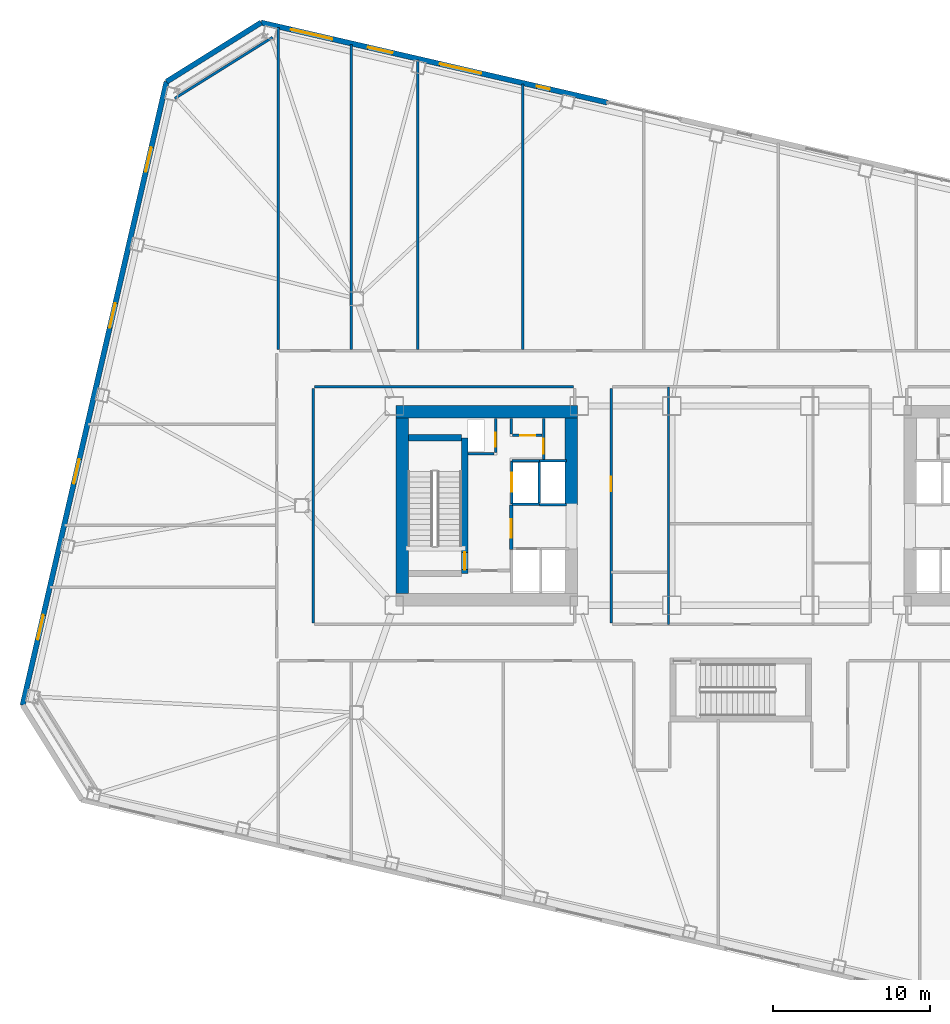
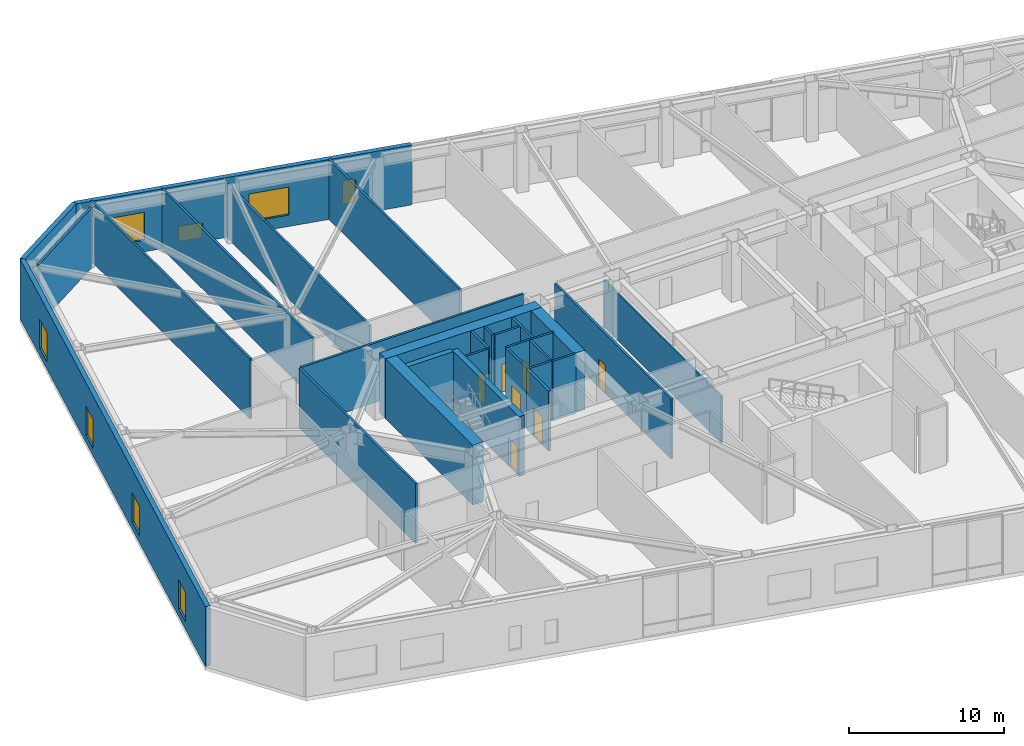
# One storey, part 12 of 21: 29 walls, 8 windows, 7 doors, 15 openings.
"""IFC4 building model written with IfcOpenShell, lengths in metres."""

from ifc_helpers import new_model, si_unit, direction, frame, frame_2d, origin, place, context, subcontext, project, spatial, rectangle, extrude, material, layer, layer_set, type_object, element, fill, save


model = new_model("IFC4")

# Units and contexts
model_context = context("Model", 3, precision=1e-05, world=origin(), true_north=direction((0.0, 1.0)))
body_context = subcontext(model_context, "Body", "Model", "MODEL_VIEW")
ifc_project = project(units=[si_unit("LENGTHUNIT", "METRE"), si_unit("AREAUNIT", "SQUARE_METRE"), si_unit("VOLUMEUNIT", "CUBIC_METRE"), si_unit("PLANEANGLEUNIT", "RADIAN"), si_unit("MASSUNIT", "GRAM", prefix="KILO")], contexts=[model_context])

# Site, building, storey
site_placement = place(None, origin())
site = spatial("IfcSite", under=ifc_project, at=site_placement, CompositionType="ELEMENT")
building_placement = place(site_placement, origin())
building = spatial("IfcBuilding", under=site, at=building_placement, Name="Tavrogorsk Clinical Tower", CompositionType="ELEMENT")
storey_placement = place(building_placement, frame((0.0, 0.0, 8.39990234375)))
storey = spatial("IfcBuildingStorey", under=building, at=storey_placement, Name="L01", CompositionType="ELEMENT", Elevation=8.39990234375)

# Wall, opening, door
ifc_material_1 = material(Name="Concrete B60", Category="concrete")
ifc_layer_1 = layer(ifc_material_1, 0.199951171875)
ifc_layer_set_1 = layer_set([ifc_layer_1], Name="Concrete B60")
wall_type_1 = type_object("IfcWallType", Name="CoreFireWall_200", PredefinedType="SOLIDWALL", material=ifc_layer_set_1)
wall_1_placement = place(storey_placement, frame((-14.639892578125, -2.780029296875, 0.0), z_axis=(0.0, 0.0, 1.0), x_axis=(0.0, 1.0, 0.0)))
wall_1 = element("IfcWall", 1, at=wall_1_placement, inside=storey, type_object=wall_type_1, Name="L01 Core West Firefighting Lobby Fire Wall", PredefinedType="SOLIDWALL", context=body_context, shape_type="SweptSolid", body=[
    extrude(rectangle(XDim=2.820068359375, YDim=0.199951171875, at=frame_2d((1.41015625, 0.0))), origin(), (0.0, 0.0, 1.0), 4.7001953125),
])
opening_1_placement = place(wall_1_placement, frame((0.72998046875, 0.0, 0.0)))
opening_1 = element("IfcOpeningElement", 2, at=opening_1_placement, cuts=wall_1, Name="Opening FD-01", PredefinedType="OPENING", context=body_context, shape_type="SweptSolid", body=[
    extrude(rectangle(XDim=1.199951171875, YDim=2.199951171875, at=frame_2d((0.60009765625, 1.10009765625))), frame((0.0, 0.10986328125, 0.0), z_axis=(0.0, -1.0, 0.0), x_axis=(1.0, 0.0, 0.0)), (0.0, 0.0, 1.0), 0.219970703125),
])
ifc_material_2 = material(Name="Galvanised steel fire-rated door assembly", Category="steel")
door_type_1 = type_object("IfcDoorType", Name="FireDoor_FD01_1200", OperationType="NOTDEFINED", PredefinedType="DOOR", material=ifc_material_2)
door_1_placement = place(opening_1_placement, origin())
door_1 = element("IfcDoor", 3, at=door_1_placement, inside=storey, type_object=door_type_1, Name="L01 Core West Firefighting Lobby Entry Door", OperationType="SINGLE_SWING_LEFT", OverallHeight=2.199951171875, OverallWidth=1.199951171875, PredefinedType="DOOR", context=body_context, shape_type="SweptSolid", body=[
    extrude(rectangle(XDim=1.199951171875, YDim=2.199951171875, at=frame_2d((0.60009765625, 1.10009765625))), frame((0.0, 0.02490234375, 0.0), z_axis=(0.0, -1.0, 0.0), x_axis=(1.0, 0.0, 0.0)), (0.0, 0.0, 1.0), 0.050048828125),
])
fill(opening_1, door_1)

# Wall
ifc_material_3 = material(Name="Lightweight concrete blockwork B15", Category="masonry")
ifc_layer_2 = layer(ifc_material_3, 0.139892578125)
ifc_layer_set_2 = layer_set([ifc_layer_2], Name="Lightweight concrete blockwork B15")
wall_type_2 = type_object("IfcWallType", Name="PartitionWall_140", PredefinedType="PARTITIONING", material=ifc_layer_set_2)
wall_2_placement = place(storey_placement, frame((-4.60009765625, -7.56494140625, 0.0), z_axis=(0.0, 0.0, 1.0), x_axis=(0.0, 1.0, 0.0)))
element("IfcWall", 4, at=wall_2_placement, inside=storey, type_object=wall_type_2, Name="L01 Central Spine Partition 1", PredefinedType="PARTITIONING", context=body_context, shape_type="SweptSolid", body=[
    extrude(rectangle(XDim=15.1298828125, YDim=0.139892578125, at=frame_2d((7.56494140625, 0.0))), origin(), (0.0, 0.0, 1.0), 3.695068359375),
])

# Wall, opening, door
ifc_material_4 = material(Name="Lightweight concrete blockwork B15", Category="masonry")
ifc_layer_3 = layer(ifc_material_4, 0.159912109375)
ifc_layer_set_3 = layer_set([ifc_layer_3], Name="Lightweight concrete blockwork B15")
wall_type_3 = type_object("IfcWallType", Name="PartitionWall_160", PredefinedType="PARTITIONING", material=ifc_layer_set_3)
wall_3_placement = place(storey_placement, frame((-12.580078125, 2.9599609375, 0.0), z_axis=(0.0, 0.0, 1.0), x_axis=(0.0, 1.0, 0.0)))
wall_3 = element("IfcWall", 5, at=wall_3_placement, inside=storey, type_object=wall_type_3, Name="L01 Core West Linen Closet Wall", PredefinedType="PARTITIONING", context=body_context, shape_type="SweptSolid", body=[
    extrude(rectangle(XDim=2.60009765625, YDim=0.159912109375, at=frame_2d((1.300048828125, 0.0))), origin(), (0.0, 0.0, 1.0), 4.7001953125),
])
opening_2_placement = place(wall_3_placement, frame((0.35009765625, 0.0, 0.0)))
opening_2 = element("IfcOpeningElement", 6, at=opening_2_placement, cuts=wall_3, Name="Opening ID-02", PredefinedType="OPENING", context=body_context, shape_type="SweptSolid", body=[
    extrude(rectangle(XDim=0.949951171875, YDim=2.199951171875, at=frame_2d((0.47509765625, 1.10009765625))), frame((0.0, 0.08984375, 0.0), z_axis=(0.0, -1.0, 0.0), x_axis=(1.0, 0.0, 0.0)), (0.0, 0.0, 1.0), 0.179931640625),
])
ifc_material_5 = material(Name="Laminated timber leaf on aluminium frame", Category="wood")
door_type_2 = type_object("IfcDoorType", Name="InteriorDoor_ID02_950", OperationType="NOTDEFINED", PredefinedType="DOOR", material=ifc_material_5)
door_2_placement = place(opening_2_placement, origin())
door_2 = element("IfcDoor", 7, at=door_2_placement, inside=storey, type_object=door_type_2, Name="L01 Core West Linen Closet Door", OperationType="SINGLE_SWING_LEFT", OverallHeight=2.199951171875, OverallWidth=0.949951171875, PredefinedType="DOOR", context=body_context, shape_type="SweptSolid", body=[
    extrude(rectangle(XDim=0.949951171875, YDim=2.199951171875, at=frame_2d((0.47509765625, 1.10009765625))), frame((0.0, 0.02490234375, 0.0), z_axis=(0.0, -1.0, 0.0), x_axis=(1.0, 0.0, 0.0)), (0.0, 0.0, 1.0), 0.050048828125),
])
fill(opening_2, door_2)

wall_4_placement = place(storey_placement, frame((-14.554931640625, 4.47998046875, 0.0), z_axis=(0.0, 0.0, 1.0), x_axis=(1.0, 0.0, 0.0)))
wall_4 = element("IfcWall", 8, at=wall_4_placement, inside=storey, type_object=wall_type_3, Name="L01 Core West Housekeeping South Wall", PredefinedType="PARTITIONING", context=body_context, shape_type="SweptSolid", body=[
    extrude(rectangle(XDim=1.889892578125, YDim=0.159912109375, at=frame_2d((0.94482421875, 0.0))), origin(), (0.0, 0.0, 1.0), 4.7001953125),
])
opening_3_placement = place(wall_4_placement, frame((0.5, 0.0, 0.0)))
opening_3 = element("IfcOpeningElement", 9, at=opening_3_placement, cuts=wall_4, Name="Opening ID-02", PredefinedType="OPENING", context=body_context, shape_type="SweptSolid", body=[
    extrude(rectangle(XDim=0.949951171875, YDim=2.199951171875, at=frame_2d((0.47509765625, 1.10009765625))), frame((0.0, 0.08984375, 0.0), z_axis=(0.0, -1.0, 0.0), x_axis=(1.0, 0.0, 0.0)), (0.0, 0.0, 1.0), 0.179931640625),
])
door_3_placement = place(opening_3_placement, origin())
door_3 = element("IfcDoor", 10, at=door_3_placement, inside=storey, type_object=door_type_2, Name="L01 Core West Housekeeping Closet Door", OperationType="SINGLE_SWING_RIGHT", OverallHeight=2.199951171875, OverallWidth=0.949951171875, PredefinedType="DOOR", context=body_context, shape_type="SweptSolid", body=[
    extrude(rectangle(XDim=0.949951171875, YDim=2.199951171875, at=frame_2d((0.47509765625, 1.10009765625))), frame((0.0, 0.02490234375, 0.0), z_axis=(0.0, -1.0, 0.0), x_axis=(1.0, 0.0, 0.0)), (0.0, 0.0, 1.0), 0.050048828125),
])
fill(opening_3, door_3)

# Walls
wall_5_placement = place(storey_placement, frame((-14.639892578125, 4.56494140625, 0.0), z_axis=(0.0, 0.0, 1.0), x_axis=(0.0, 1.0, 0.0)))
element("IfcWall", 11, at=wall_5_placement, inside=storey, type_object=wall_type_3, Name="L01 Core West Housekeeping East Wall", PredefinedType="PARTITIONING", context=body_context, shape_type="SweptSolid", body=[
    extrude(rectangle(XDim=0.9951171875, YDim=0.159912109375, at=frame_2d((0.49755859375, 0.0))), origin(), (0.0, 0.0, 1.0), 4.7001953125),
])
wall_6_placement = place(storey_placement, frame((-29.859619140625, 29.8681640625, 0.0), z_axis=(0.0, 0.0, 1.0), x_axis=(-0.848043064089, -0.529927317139, 0.0)))
element("IfcWall", 12, at=wall_6_placement, inside=storey, type_object=wall_type_3, Name="L01 Corner Exoskeleton Brace Furring Wall 3", PredefinedType="PARTITIONING", context=body_context, shape_type="SweptSolid", body=[
    extrude(rectangle(XDim=7.353759765625, YDim=0.159912109375, at=frame_2d((3.6767578125, 0.0))), origin(), (0.0, 0.0, 1.0), 4.7001953125),
])

# Wall, opening, door
wall_7_placement = place(storey_placement, frame((-8.27001953125, 7.485107421875, 0.0), z_axis=(0.0, 0.0, 1.0), x_axis=(0.0, -1.0, 0.0)))
wall_7 = element("IfcWall", 13, at=wall_7_placement, inside=storey, type_object=wall_type_3, Name="L01 Corridor Partition 18", PredefinedType="PARTITIONING", context=body_context, shape_type="SweptSolid", body=[
    extrude(rectangle(XDim=14.97021484375, YDim=0.159912109375, at=frame_2d((7.485107421875, 0.0))), origin(), (0.0, 0.0, 1.0), 4.7001953125),
])
opening_4_placement = place(wall_7_placement, frame((5.629150390625, 0.0, 0.0)))
opening_4 = element("IfcOpeningElement", 14, at=opening_4_placement, cuts=wall_7, Name="Opening ID-02", PredefinedType="OPENING", context=body_context, shape_type="SweptSolid", body=[
    extrude(rectangle(XDim=0.949951171875, YDim=2.199951171875, at=frame_2d((0.47509765625, 1.10009765625))), frame((0.0, 0.08984375, 0.0), z_axis=(0.0, -1.0, 0.0), x_axis=(1.0, 0.0, 0.0)), (0.0, 0.0, 1.0), 0.179931640625),
])
door_4_placement = place(opening_4_placement, origin())
door_4 = element("IfcDoor", 15, at=door_4_placement, inside=storey, type_object=door_type_2, Name="L01 Ward Nourishment Pantry Door", OperationType="SINGLE_SWING_LEFT", OverallHeight=2.199951171875, OverallWidth=0.949951171875, PredefinedType="DOOR", context=body_context, shape_type="SweptSolid", body=[
    extrude(rectangle(XDim=0.949951171875, YDim=2.199951171875, at=frame_2d((0.47509765625, 1.10009765625))), frame((0.0, 0.02490234375, 0.0), z_axis=(0.0, -1.0, 0.0), x_axis=(1.0, 0.0, 0.0)), (0.0, 0.0, 1.0), 0.050048828125),
])
fill(opening_4, door_4)

# Walls
wall_8_placement = place(storey_placement, frame((-10.6650390625, 7.570068359375, 0.0), z_axis=(0.0, 0.0, 1.0), x_axis=(-1.0, 0.0, 0.0)))
element("IfcWall", 16, at=wall_8_placement, inside=storey, type_object=wall_type_3, Name="L01 Corridor Partition 23", PredefinedType="PARTITIONING", context=body_context, shape_type="SweptSolid", body=[
    extrude(rectangle(XDim=16.52001953125, YDim=0.159912109375, at=frame_2d((8.260009765625, 0.0))), origin(), (0.0, 0.0, 1.0), 4.7001953125),
])
wall_9_placement = place(storey_placement, frame((-27.27001953125, 7.485107421875, 0.0), z_axis=(0.0, 0.0, 1.0), x_axis=(0.0, -1.0, 0.0)))
element("IfcWall", 17, at=wall_9_placement, inside=storey, type_object=wall_type_3, Name="L01 Corridor Partition 24", PredefinedType="PARTITIONING", context=body_context, shape_type="SweptSolid", body=[
    extrude(rectangle(XDim=14.97021484375, YDim=0.159912109375, at=frame_2d((7.485107421875, 0.0))), origin(), (0.0, 0.0, 1.0), 4.7001953125),
])
wall_10_placement = place(storey_placement, frame((-29.5, 9.965087890625, 0.0), z_axis=(0.0, 0.0, 1.0), x_axis=(0.0, 1.0, 0.0)))
element("IfcWall", 18, at=wall_10_placement, inside=storey, type_object=wall_type_3, Name="L01 NW Wing Closure Partition", PredefinedType="PARTITIONING", context=body_context, shape_type="SweptSolid", body=[
    extrude(rectangle(XDim=20.5185546875, YDim=0.159912109375, at=frame_2d((10.25927734375, 0.0))), origin(), (0.0, 0.0, 1.0), 4.7001953125),
])
wall_11_placement = place(storey_placement, frame((-24.85009765625, 9.965087890625, 0.0), z_axis=(0.0, 0.0, 1.0), x_axis=(0.0, 1.0, 0.0)))
element("IfcWall", 19, at=wall_11_placement, inside=storey, type_object=wall_type_3, Name="L01 North Room Partition 1", PredefinedType="PARTITIONING", context=body_context, shape_type="SweptSolid", body=[
    extrude(rectangle(XDim=19.445068359375, YDim=0.159912109375, at=frame_2d((9.72265625, 0.0))), origin(), (0.0, 0.0, 1.0), 4.7001953125),
])
wall_12_placement = place(storey_placement, frame((-20.60009765625, 9.965087890625, 0.0), z_axis=(0.0, 0.0, 1.0), x_axis=(0.0, 1.0, 0.0)))
element("IfcWall", 20, at=wall_12_placement, inside=storey, type_object=wall_type_3, Name="L01 North Room Partition 2", PredefinedType="PARTITIONING", context=body_context, shape_type="SweptSolid", body=[
    extrude(rectangle(XDim=18.4638671875, YDim=0.159912109375, at=frame_2d((9.23193359375, 0.0))), origin(), (0.0, 0.0, 1.0), 4.195068359375),
])
wall_13_placement = place(storey_placement, frame((-13.89990234375, 9.965087890625, 0.0), z_axis=(0.0, 0.0, 1.0), x_axis=(0.0, 1.0, 0.0)))
element("IfcWall", 21, at=wall_13_placement, inside=storey, type_object=wall_type_3, Name="L01 North Room Partition 3", PredefinedType="PARTITIONING", context=body_context, shape_type="SweptSolid", body=[
    extrude(rectangle(XDim=16.9169921875, YDim=0.159912109375, at=frame_2d((8.45849609375, 0.0))), origin(), (0.0, 0.0, 1.0), 4.7001953125),
])

# Wall, openings, windows
ifc_material_6 = material(Name="Precast concrete B45 with limestone cladding", Category="masonry")
ifc_layer_4 = layer(ifc_material_6, 0.340087890625)
ifc_layer_set_4 = layer_set([ifc_layer_4], Name="Precast concrete B45 with limestone cladding")
wall_type_4 = type_object("IfcWallType", Name="PrecastLimestoneWall_340", PredefinedType="STANDARD", material=ifc_layer_set_4)
wall_14_placement = place(storey_placement, frame((-8.5166015625, 25.711181640625, 0.0), z_axis=(0.0, 0.0, 1.0), x_axis=(-0.974372845456, 0.224939009598, 0.0)))
wall_14 = element("IfcWall", 22, at=wall_14_placement, inside=storey, type_object=wall_type_4, Name="L01 N Limestone Facade Wall 3", PredefinedType="STANDARD", context=body_context, shape_type="SweptSolid", body=[
    extrude(rectangle(XDim=22.651611328125, YDim=0.340087890625, at=frame_2d((11.32568359375, 0.0))), origin(), (0.0, 0.0, 1.0), 4.7001953125),
])
opening_5_placement = place(wall_14_placement, frame((17.9892578125, 0.0, 0.89990234375)))
opening_5 = element("IfcOpeningElement", 23, at=opening_5_placement, cuts=wall_14, Name="Opening WN-02", PredefinedType="OPENING", context=body_context, shape_type="SweptSolid", body=[
    extrude(rectangle(XDim=2.699951171875, YDim=2.199951171875, at=frame_2d((1.35009765625, 1.10009765625))), frame((0.0, 0.179931640625, 0.0), z_axis=(0.0, -1.0, 0.0), x_axis=(1.0, 0.0, 0.0)), (0.0, 0.0, 1.0), 0.360107421875),
])
opening_6_placement = place(wall_14_placement, frame((14.054931640625, 0.0, 0.219970703125)))
opening_6 = element("IfcOpeningElement", 24, at=opening_6_placement, cuts=wall_14, Name="Opening WN-09", PredefinedType="OPENING", context=body_context, shape_type="SweptSolid", body=[
    extrude(rectangle(XDim=1.60009765625, YDim=1.199951171875, at=frame_2d((0.800048828125, 0.60009765625))), frame((0.0, 0.179931640625, 0.0), z_axis=(0.0, -1.0, 0.0), x_axis=(1.0, 0.0, 0.0)), (0.0, 0.0, 1.0), 0.360107421875),
])
opening_7_placement = place(wall_14_placement, frame((8.24072265625, 0.0, 0.89990234375)))
opening_7 = element("IfcOpeningElement", 25, at=opening_7_placement, cuts=wall_14, Name="Opening WN-02", PredefinedType="OPENING", context=body_context, shape_type="SweptSolid", body=[
    extrude(rectangle(XDim=2.699951171875, YDim=2.199951171875, at=frame_2d((1.35009765625, 1.10009765625))), frame((0.0, 0.179931640625, 0.0), z_axis=(0.0, -1.0, 0.0), x_axis=(1.0, 0.0, 0.0)), (0.0, 0.0, 1.0), 0.360107421875),
])
opening_8_placement = place(wall_14_placement, frame((3.75634765625, 0.0, 0.89990234375)))
opening_8 = element("IfcOpeningElement", 26, at=opening_8_placement, cuts=wall_14, Name="Opening WN-06", PredefinedType="OPENING", context=body_context, shape_type="SweptSolid", body=[
    extrude(rectangle(XDim=0.85009765625, YDim=1.85009765625, at=frame_2d((0.425048828125, 0.925048828125))), frame((0.0, 0.179931640625, 0.0), z_axis=(0.0, -1.0, 0.0), x_axis=(1.0, 0.0, 0.0)), (0.0, 0.0, 1.0), 0.360107421875),
])
ifc_material_7 = material(Name="Thermally broken aluminium frame and triple IGU", Category="aluminium")
window_type_1 = type_object("IfcWindowType", Name="LowHeadTransWin_1600x1200", PartitioningType="DOUBLE_PANEL_VERTICAL", PredefinedType="WINDOW", material=ifc_material_7)
window_1_placement = place(opening_6_placement, origin())
window_1 = element("IfcWindow", 27, at=window_1_placement, inside=storey, type_object=window_type_1, Name="L01 N Chicago Window 02", OverallHeight=1.199951171875, OverallWidth=1.60009765625, PartitioningType="SINGLE_PANEL", PredefinedType="WINDOW", context=body_context, shape_type="SweptSolid", body=[
    extrude(rectangle(XDim=1.60009765625, YDim=1.199951171875, at=frame_2d((0.800048828125, 0.60009765625))), frame((0.0, 0.030029296875, 0.0), z_axis=(0.0, -1.0, 0.0), x_axis=(1.0, 0.0, 0.0)), (0.0, 0.0, 1.0), 0.06005859375),
])
fill(opening_6, window_1)
ifc_material_8 = material(Name="Thermally broken aluminium frame and triple IGU", Category="aluminium")
window_type_2 = type_object("IfcWindowType", Name="MullionSubWin_850x1850", PartitioningType="SINGLE_PANEL", PredefinedType="WINDOW", material=ifc_material_8)
window_2_placement = place(opening_8_placement, origin())
window_2 = element("IfcWindow", 28, at=window_2_placement, inside=storey, type_object=window_type_2, Name="L01 N Mullion Split Window 04A", OverallHeight=1.85009765625, OverallWidth=0.85009765625, PartitioningType="SINGLE_PANEL", PredefinedType="WINDOW", context=body_context, shape_type="SweptSolid", body=[
    extrude(rectangle(XDim=0.85009765625, YDim=1.85009765625, at=frame_2d((0.425048828125, 0.925048828125))), frame((0.0, 0.030029296875, 0.0), z_axis=(0.0, -1.0, 0.0), x_axis=(1.0, 0.0, 0.0)), (0.0, 0.0, 1.0), 0.06005859375),
])
fill(opening_8, window_2)
ifc_material_9 = material(Name="Thermally broken aluminium frame and triple IGU", Category="aluminium")
window_type_3 = type_object("IfcWindowType", Name="WardChicagoWin_2700x2200", PartitioningType="TRIPLE_PANEL_HORIZONTAL", PredefinedType="WINDOW", material=ifc_material_9)
window_3_placement = place(opening_5_placement, origin())
window_3 = element("IfcWindow", 29, at=window_3_placement, inside=storey, type_object=window_type_3, Name="L01 N Chicago Window 01", OverallHeight=2.199951171875, OverallWidth=2.699951171875, PartitioningType="SINGLE_PANEL", PredefinedType="WINDOW", context=body_context, shape_type="SweptSolid", body=[
    extrude(rectangle(XDim=2.699951171875, YDim=2.199951171875, at=frame_2d((1.35009765625, 1.10009765625))), frame((0.0, 0.030029296875, 0.0), z_axis=(0.0, -1.0, 0.0), x_axis=(1.0, 0.0, 0.0)), (0.0, 0.0, 1.0), 0.06005859375),
])
fill(opening_5, window_3)
window_4_placement = place(opening_7_placement, origin())
window_4 = element("IfcWindow", 30, at=window_4_placement, inside=storey, type_object=window_type_3, Name="L01 N Chicago Window 03", OverallHeight=2.199951171875, OverallWidth=2.699951171875, PartitioningType="SINGLE_PANEL", PredefinedType="WINDOW", context=body_context, shape_type="SweptSolid", body=[
    extrude(rectangle(XDim=2.699951171875, YDim=2.199951171875, at=frame_2d((1.35009765625, 1.10009765625))), frame((0.0, 0.030029296875, 0.0), z_axis=(0.0, -1.0, 0.0), x_axis=(1.0, 0.0, 0.0)), (0.0, 0.0, 1.0), 0.06005859375),
])
fill(opening_7, window_4)

wall_15_placement = place(storey_placement, frame((-36.6201171875, 27.036865234375, 0.0), z_axis=(0.0, 0.0, 1.0), x_axis=(-0.224951280646, -0.974370012539, 0.0)))
wall_15 = element("IfcWall", 31, at=wall_15_placement, inside=storey, type_object=wall_type_4, Name="L01 W Pleated Limestone Wing Wall", PredefinedType="STANDARD", context=body_context, shape_type="SweptSolid", body=[
    extrude(rectangle(XDim=40.7998046875, YDim=0.340087890625, at=frame_2d((20.39990234375, 0.0))), origin(), (0.0, 0.0, 1.0), 4.7001953125),
])
opening_9_placement = place(wall_15_placement, frame((4.300048828125, 0.0, 0.580078125)))
opening_9 = element("IfcOpeningElement", 32, at=opening_9_placement, cuts=wall_15, Name="Opening WN-07", PredefinedType="OPENING", context=body_context, shape_type="SweptSolid", body=[
    extrude(rectangle(XDim=1.60009765625, YDim=2.300048828125, at=frame_2d((0.800048828125, 1.14990234375))), frame((0.0, 0.179931640625, 0.0), z_axis=(0.0, -1.0, 0.0), x_axis=(1.0, 0.0, 0.0)), (0.0, 0.0, 1.0), 0.360107421875),
])
opening_10_placement = place(wall_15_placement, frame((14.5, 0.0, 0.580078125)))
opening_10 = element("IfcOpeningElement", 33, at=opening_10_placement, cuts=wall_15, Name="Opening WN-07", PredefinedType="OPENING", context=body_context, shape_type="SweptSolid", body=[
    extrude(rectangle(XDim=1.60009765625, YDim=2.300048828125, at=frame_2d((0.800048828125, 1.14990234375))), frame((0.0, 0.179931640625, 0.0), z_axis=(0.0, -1.0, 0.0), x_axis=(1.0, 0.0, 0.0)), (0.0, 0.0, 1.0), 0.360107421875),
])
opening_11_placement = place(wall_15_placement, frame((24.699951171875, 0.0, 0.580078125)))
opening_11 = element("IfcOpeningElement", 34, at=opening_11_placement, cuts=wall_15, Name="Opening WN-07", PredefinedType="OPENING", context=body_context, shape_type="SweptSolid", body=[
    extrude(rectangle(XDim=1.60009765625, YDim=2.300048828125, at=frame_2d((0.800048828125, 1.14990234375))), frame((0.0, 0.179931640625, 0.0), z_axis=(0.0, -1.0, 0.0), x_axis=(1.0, 0.0, 0.0)), (0.0, 0.0, 1.0), 0.360107421875),
])
opening_12_placement = place(wall_15_placement, frame((34.89990234375, 0.0, 0.580078125)))
opening_12 = element("IfcOpeningElement", 35, at=opening_12_placement, cuts=wall_15, Name="Opening WN-07", PredefinedType="OPENING", context=body_context, shape_type="SweptSolid", body=[
    extrude(rectangle(XDim=1.60009765625, YDim=2.300048828125, at=frame_2d((0.800048828125, 1.14990234375))), frame((0.0, 0.179931640625, 0.0), z_axis=(0.0, -1.0, 0.0), x_axis=(1.0, 0.0, 0.0)), (0.0, 0.0, 1.0), 0.360107421875),
])
ifc_material_10 = material(Name="Thermally broken aluminium frame and triple IGU", Category="aluminium")
window_type_4 = type_object("IfcWindowType", Name="PleatSlotWin_1600x2300", PartitioningType="SINGLE_PANEL", PredefinedType="WINDOW", material=ifc_material_10)
window_5_placement = place(opening_9_placement, origin())
window_5 = element("IfcWindow", 36, at=window_5_placement, inside=storey, type_object=window_type_4, Name="L01 W Pleat Slot Window 1", OverallHeight=2.300048828125, OverallWidth=1.60009765625, PartitioningType="SINGLE_PANEL", PredefinedType="WINDOW", context=body_context, shape_type="SweptSolid", body=[
    extrude(rectangle(XDim=1.60009765625, YDim=2.300048828125, at=frame_2d((0.800048828125, 1.14990234375))), frame((0.0, 0.030029296875, 0.0), z_axis=(0.0, -1.0, 0.0), x_axis=(1.0, 0.0, 0.0)), (0.0, 0.0, 1.0), 0.06005859375),
])
fill(opening_9, window_5)
window_6_placement = place(opening_10_placement, origin())
window_6 = element("IfcWindow", 37, at=window_6_placement, inside=storey, type_object=window_type_4, Name="L01 W Pleat Slot Window 2", OverallHeight=2.300048828125, OverallWidth=1.60009765625, PartitioningType="SINGLE_PANEL", PredefinedType="WINDOW", context=body_context, shape_type="SweptSolid", body=[
    extrude(rectangle(XDim=1.60009765625, YDim=2.300048828125, at=frame_2d((0.800048828125, 1.14990234375))), frame((0.0, 0.030029296875, 0.0), z_axis=(0.0, -1.0, 0.0), x_axis=(1.0, 0.0, 0.0)), (0.0, 0.0, 1.0), 0.06005859375),
])
fill(opening_10, window_6)
window_7_placement = place(opening_11_placement, origin())
window_7 = element("IfcWindow", 38, at=window_7_placement, inside=storey, type_object=window_type_4, Name="L01 W Pleat Slot Window 3", OverallHeight=2.300048828125, OverallWidth=1.60009765625, PartitioningType="SINGLE_PANEL", PredefinedType="WINDOW", context=body_context, shape_type="SweptSolid", body=[
    extrude(rectangle(XDim=1.60009765625, YDim=2.300048828125, at=frame_2d((0.800048828125, 1.14990234375))), frame((0.0, 0.030029296875, 0.0), z_axis=(0.0, -1.0, 0.0), x_axis=(1.0, 0.0, 0.0)), (0.0, 0.0, 1.0), 0.06005859375),
])
fill(opening_11, window_7)
window_8_placement = place(opening_12_placement, origin())
window_8 = element("IfcWindow", 39, at=window_8_placement, inside=storey, type_object=window_type_4, Name="L01 W Pleat Slot Window 4", OverallHeight=2.300048828125, OverallWidth=1.60009765625, PartitioningType="SINGLE_PANEL", PredefinedType="WINDOW", context=body_context, shape_type="SweptSolid", body=[
    extrude(rectangle(XDim=1.60009765625, YDim=2.300048828125, at=frame_2d((0.800048828125, 1.14990234375))), frame((0.0, 0.030029296875, 0.0), z_axis=(0.0, -1.0, 0.0), x_axis=(1.0, 0.0, 0.0)), (0.0, 0.0, 1.0), 0.06005859375),
])
fill(opening_12, window_8)

# Wall
wall_16_placement = place(storey_placement, frame((-30.587646484375, 30.806640625, 0.0), z_axis=(0.0, 0.0, 1.0), x_axis=(-0.848031080615, -0.529946493819, 0.0)))
element("IfcWall", 40, at=wall_16_placement, inside=storey, type_object=wall_type_4, Name="L01 Chamfered Corner Wall 3", PredefinedType="STANDARD", context=body_context, shape_type="SweptSolid", body=[
    extrude(rectangle(XDim=7.113525390625, YDim=0.340087890625, at=frame_2d((3.556640625, 0.0))), origin(), (0.0, 0.0, 1.0), 4.7001953125),
])

# Wall, opening, door
ifc_material_11 = material(Name="Lightweight concrete blockwork B25", Category="masonry")
ifc_layer_5 = layer(ifc_material_11, 0.159912109375)
ifc_layer_set_5 = layer_set([ifc_layer_5], Name="Lightweight concrete blockwork B25")
wall_type_5 = type_object("IfcWallType", Name="ShaftWall_160", PredefinedType="PARTITIONING", material=ifc_layer_set_5)
wall_17_placement = place(storey_placement, frame((-14.60009765625, 0.1201171875, 0.0), z_axis=(0.0, 0.0, 1.0), x_axis=(0.0, 1.0, 0.0)))
wall_17 = element("IfcWall", 41, at=wall_17_placement, inside=storey, type_object=wall_type_5, Name="L01 FFL-W Firefighting Lift Front Wall", PredefinedType="PARTITIONING", context=body_context, shape_type="SweptSolid", body=[
    extrude(rectangle(XDim=2.739990234375, YDim=0.159912109375, at=frame_2d((1.3701171875, 0.0))), origin(), (0.0, 0.0, 1.0), 4.7001953125),
])
opening_13_placement = place(wall_17_placement, frame((0.77001953125, 0.0, 0.0)))
opening_13 = element("IfcOpeningElement", 42, at=opening_13_placement, cuts=wall_17, Name="Opening LD", PredefinedType="OPENING", context=body_context, shape_type="SweptSolid", body=[
    extrude(rectangle(XDim=1.199951171875, YDim=2.199951171875, at=frame_2d((0.60009765625, 1.10009765625))), frame((0.0, 0.08984375, 0.0), z_axis=(0.0, -1.0, 0.0), x_axis=(1.0, 0.0, 0.0)), (0.0, 0.0, 1.0), 0.179931640625),
])
ifc_material_12 = material(Name="Brushed stainless steel AISI 304 sliding doors", Category="steel")
door_type_3 = type_object("IfcDoorType", Name="LiftLandingDoor_LD_1200", OperationType="SLIDING_TO_LEFT", PredefinedType="DOOR", material=ifc_material_12)
door_5_placement = place(opening_13_placement, origin())
door_5 = element("IfcDoor", 43, at=door_5_placement, inside=storey, type_object=door_type_3, Name="L01 FFL-W Sliding Lift Landing Door", OperationType="SLIDING_TO_LEFT", OverallHeight=2.199951171875, OverallWidth=1.199951171875, PredefinedType="DOOR", context=body_context, shape_type="SweptSolid", body=[
    extrude(rectangle(XDim=1.199951171875, YDim=2.199951171875, at=frame_2d((0.60009765625, 1.10009765625))), frame((0.0, 0.02490234375, 0.0), z_axis=(0.0, -1.0, 0.0), x_axis=(1.0, 0.0, 0.0)), (0.0, 0.0, 1.0), 0.050048828125),
])
fill(opening_13, door_5)

# Walls
for number, where, z_axis, x_axis, name in (
    (44, (-14.60009765625, 0.10009765625, 0.0), (0.0, 0.0, 1.0), (1.0, 0.0, 0.0), "L01 FFL-W Shaft South Wall"),
    (45, (-14.60009765625, 2.8798828125, 0.0), (0.0, 0.0, 1.0), (1.0, 0.0, 0.0), "L01 FFL-W Shaft North Wall"),
):
    element("IfcWall", number, at=place(storey_placement, frame(where, z_axis=z_axis, x_axis=x_axis)), inside=storey, type_object=wall_type_5, Name=name, PredefinedType="PARTITIONING", context=body_context, shape_type="SweptSolid", body=[
        extrude(rectangle(XDim=1.760009765625, YDim=0.159912109375, at=frame_2d((0.8798828125, 0.0))), origin(), (0.0, 0.0, 1.0), 4.7001953125),
    ])
wall_18_placement = place(storey_placement, frame((-12.840087890625, 0.179931640625, 0.0), z_axis=(0.0, 0.0, 1.0), x_axis=(0.0, 1.0, 0.0)))
element("IfcWall", 46, at=wall_18_placement, inside=storey, type_object=wall_type_5, Name="L01 FFL-W Shaft Back Wall", PredefinedType="PARTITIONING", context=body_context, shape_type="SweptSolid", body=[
    extrude(rectangle(XDim=2.6201171875, YDim=0.159912109375, at=frame_2d((1.31005859375, 0.0))), origin(), (0.0, 0.0, 1.0), 4.7001953125),
])
for number, where, z_axis, x_axis, name in (
    (47, (-12.820068359375, 0.06005859375, 0.0), (0.0, 0.0, 1.0), (1.0, 0.0, 0.0), "L01 LP-H1 High-Zone Lift Portal Wall"),
    (48, (-12.820068359375, 2.860107421875, 0.0), (0.0, 0.0, 1.0), (1.0, 0.0, 0.0), "L01 LP-H1 High-Zone Lift Rear Wall"),
):
    element("IfcWall", number, at=place(storey_placement, frame(where, z_axis=z_axis, x_axis=x_axis)), inside=storey, type_object=wall_type_5, Name=name, PredefinedType="PARTITIONING", context=body_context, shape_type="SweptSolid", body=[
        extrude(rectangle(XDim=1.719970703125, YDim=0.159912109375, at=frame_2d((0.85986328125, 0.0))), origin(), (0.0, 0.0, 1.0), 4.7001953125),
    ])

# Wall, opening, door
wall_19_placement = place(storey_placement, frame((-15.639892578125, 3.405029296875, 0.0), z_axis=(0.0, 0.0, 1.0), x_axis=(0.0, 1.0, 0.0)))
wall_19 = element("IfcWall", 49, at=wall_19_placement, inside=storey, type_object=wall_type_5, Name="L01 Core West Riser West Wall", PredefinedType="PARTITIONING", context=body_context, shape_type="SweptSolid", body=[
    extrude(rectangle(XDim=2.155029296875, YDim=0.159912109375, at=frame_2d((1.07763671875, 0.0))), origin(), (0.0, 0.0, 1.0), 4.7001953125),
])
opening_14_placement = place(wall_19_placement, frame((0.35009765625, 0.0, 0.0)))
opening_14 = element("IfcOpeningElement", 50, at=opening_14_placement, cuts=wall_19, Name="Opening FD-02", PredefinedType="OPENING", context=body_context, shape_type="SweptSolid", body=[
    extrude(rectangle(XDim=0.89990234375, YDim=2.199951171875, at=frame_2d((0.449951171875, 1.10009765625))), frame((0.0, 0.08984375, 0.0), z_axis=(0.0, -1.0, 0.0), x_axis=(1.0, 0.0, 0.0)), (0.0, 0.0, 1.0), 0.179931640625),
])
ifc_material_13 = material(Name="Galvanised steel fire-rated door assembly", Category="steel")
door_type_4 = type_object("IfcDoorType", Name="FireDoor_FD02_900", OperationType="NOTDEFINED", PredefinedType="DOOR", material=ifc_material_13)
door_6_placement = place(opening_14_placement, origin())
door_6 = element("IfcDoor", 51, at=door_6_placement, inside=storey, type_object=door_type_4, Name="L01 Core West Electrical Riser Access Door", OperationType="SINGLE_SWING_LEFT", OverallHeight=2.199951171875, OverallWidth=0.89990234375, PredefinedType="DOOR", context=body_context, shape_type="SweptSolid", body=[
    extrude(rectangle(XDim=0.89990234375, YDim=2.199951171875, at=frame_2d((0.449951171875, 1.10009765625))), frame((0.0, 0.02490234375, 0.0), z_axis=(0.0, -1.0, 0.0), x_axis=(1.0, 0.0, 0.0)), (0.0, 0.0, 1.0), 0.050048828125),
])
fill(opening_14, door_6)

# Wall
wall_20_placement = place(storey_placement, frame((-17.3798828125, 3.320068359375, 0.0), z_axis=(0.0, 0.0, 1.0), x_axis=(1.0, 0.0, 0.0)))
element("IfcWall", 52, at=wall_20_placement, inside=storey, type_object=wall_type_5, Name="L01 Core West Riser South Wall", PredefinedType="PARTITIONING", context=body_context, shape_type="SweptSolid", body=[
    extrude(rectangle(XDim=1.65478515625, YDim=0.159912109375, at=frame_2d((0.827392578125, 0.0))), origin(), (0.0, 0.0, 1.0), 4.7001953125),
])

# Wall, opening, door
ifc_material_14 = material(Name="Concrete B80", Category="concrete")
ifc_layer_6 = layer(ifc_material_14, 0.39990234375)
ifc_layer_set_6 = layer_set([ifc_layer_6], Name="Concrete B80")
wall_type_6 = type_object("IfcWallType", Name="ShearWall_400", PredefinedType="SHEAR", material=ifc_layer_set_6)
wall_21_placement = place(storey_placement, frame((-17.60009765625, -4.324951171875, 0.0), z_axis=(0.0, 0.0, 1.0), x_axis=(0.0, 1.0, 0.0)))
wall_21 = element("IfcWall", 53, at=wall_21_placement, inside=storey, type_object=wall_type_6, Name="L01 Core West Stair Shaft Inner Shear Wall", PredefinedType="SHEAR", context=body_context, shape_type="SweptSolid", body=[
    extrude(rectangle(XDim=8.64990234375, YDim=0.39990234375, at=frame_2d((4.324951171875, 0.0))), origin(), (0.0, 0.0, 1.0), 4.7001953125),
])
opening_15_placement = place(wall_21_placement, frame((0.25, 0.0, 0.0)))
opening_15 = element("IfcOpeningElement", 54, at=opening_15_placement, cuts=wall_21, Name="Opening SD-01", PredefinedType="OPENING", context=body_context, shape_type="SweptSolid", body=[
    extrude(rectangle(XDim=1.10009765625, YDim=2.199951171875, at=frame_2d((0.550048828125, 1.10009765625))), frame((0.0, 0.2099609375, 0.0), z_axis=(0.0, -1.0, 0.0), x_axis=(1.0, 0.0, 0.0)), (0.0, 0.0, 1.0), 0.419921875),
])
ifc_material_15 = material(Name="Galvanised steel smoke-tight fire door assembly", Category="steel")
door_type_5 = type_object("IfcDoorType", Name="StairFireDoor_SD01_1100", OperationType="NOTDEFINED", PredefinedType="DOOR", material=ifc_material_15)
door_7_placement = place(opening_15_placement, origin())
door_7 = element("IfcDoor", 55, at=door_7_placement, inside=storey, type_object=door_type_5, Name="L01 ST-W Exit Stair Door", OperationType="SINGLE_SWING_RIGHT", OverallHeight=2.199951171875, OverallWidth=1.10009765625, PredefinedType="DOOR", context=body_context, shape_type="SweptSolid", body=[
    extrude(rectangle(XDim=1.10009765625, YDim=2.199951171875, at=frame_2d((0.550048828125, 1.10009765625))), frame((0.0, 0.02490234375, 0.0), z_axis=(0.0, -1.0, 0.0), x_axis=(1.0, 0.0, 0.0)), (0.0, 0.0, 1.0), 0.050048828125),
])
fill(opening_15, door_7)

# Walls
wall_22_placement = place(storey_placement, frame((-21.199951171875, 4.324951171875, 0.0), z_axis=(0.0, 0.0, 1.0), x_axis=(1.0, 0.0, 0.0)))
element("IfcWall", 56, at=wall_22_placement, inside=storey, type_object=wall_type_6, Name="L01 Core West Stair Shaft North Shear Wall", PredefinedType="SHEAR", context=body_context, shape_type="SweptSolid", body=[
    extrude(rectangle(XDim=3.39990234375, YDim=0.39990234375, at=frame_2d((1.699951171875, 0.0))), origin(), (0.0, 0.0, 1.0), 4.7001953125),
])
ifc_material_16 = material(Name="Concrete B80", Category="concrete")
ifc_layer_7 = layer(ifc_material_16, 0.800048828125)
ifc_layer_set_7 = layer_set([ifc_layer_7], Name="Concrete B80")
wall_type_7 = type_object("IfcWallType", Name="ShearWall_800", PredefinedType="SHEAR", material=ifc_layer_set_7)
wall_23_placement = place(storey_placement, frame((-22.0, 6.0, 0.0), z_axis=(0.0, 0.0, 1.0), x_axis=(1.0, 0.0, 0.0)))
element("IfcWall", 57, at=wall_23_placement, inside=storey, type_object=wall_type_7, Name="L01 Core West North Shear Wall", PredefinedType="SHEAR", context=body_context, shape_type="SweptSolid", body=[
    extrude(rectangle(XDim=11.60009765625, YDim=0.800048828125, at=frame_2d((5.800048828125, 0.0))), origin(), (0.0, 0.0, 1.0), 4.7001953125),
])
wall_24_placement = place(storey_placement, frame((-21.60009765625, -5.60009765625, 0.0), z_axis=(0.0, 0.0, 1.0), x_axis=(0.0, 1.0, 0.0)))
element("IfcWall", 58, at=wall_24_placement, inside=storey, type_object=wall_type_7, Name="L01 Core West End Shear Wall", PredefinedType="SHEAR", context=body_context, shape_type="SweptSolid", body=[
    extrude(rectangle(XDim=11.2001953125, YDim=0.800048828125, at=frame_2d((5.60009765625, 0.0))), origin(), (0.0, 0.0, 1.0), 4.7001953125),
])
wall_25_placement = place(storey_placement, frame((-10.800048828125, 0.050048828125, 0.0), z_axis=(0.0, 0.0, 1.0), x_axis=(0.0, 1.0, 0.0)))
element("IfcWall", 59, at=wall_25_placement, inside=storey, type_object=wall_type_7, Name="L01 Core West Inner North Pier", PredefinedType="SHEAR", context=body_context, shape_type="SweptSolid", body=[
    extrude(rectangle(XDim=5.550048828125, YDim=0.800048828125, at=frame_2d((2.77490234375, 0.0))), origin(), (0.0, 0.0, 1.0), 4.7001953125),
])

save(model, "model.ifc")
